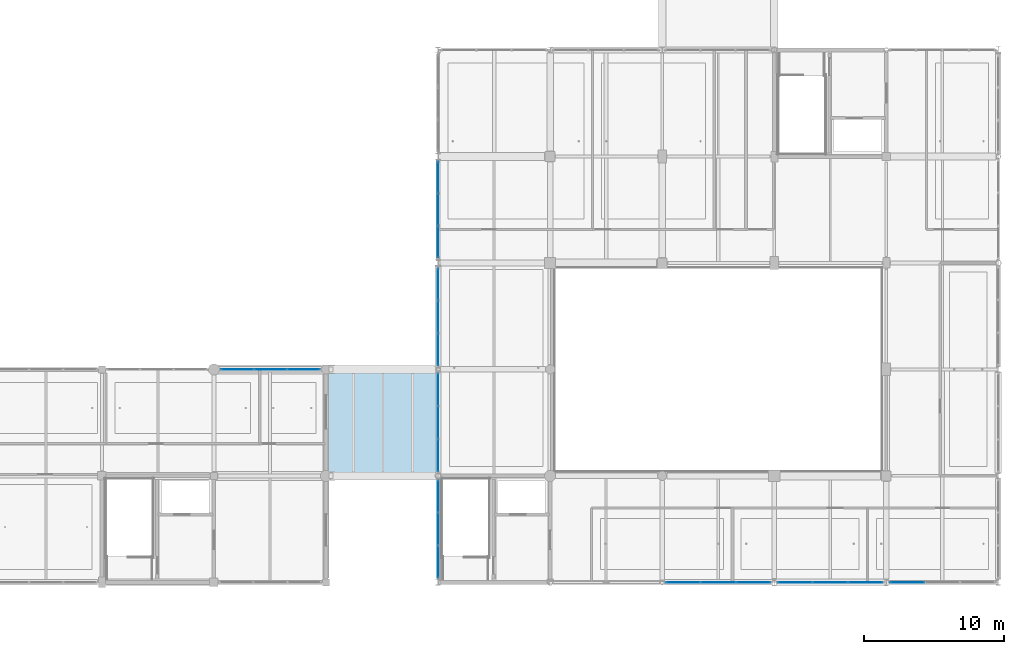
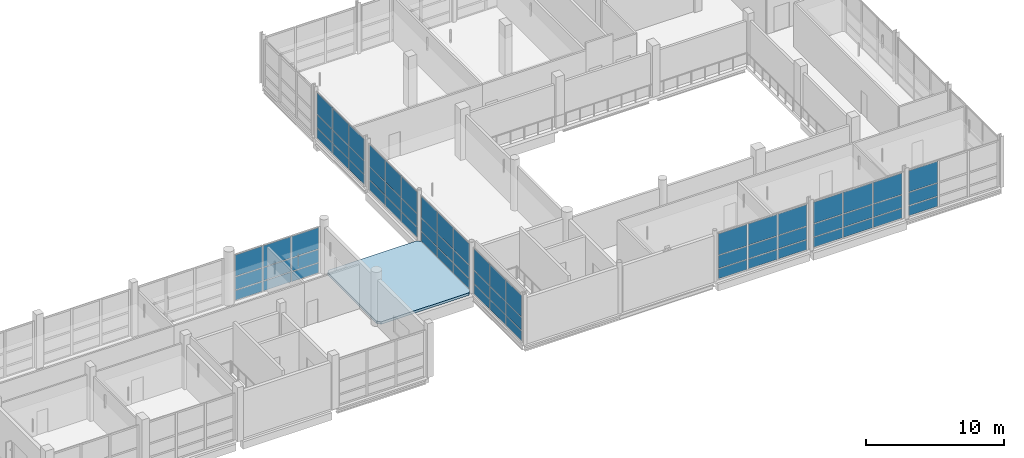
# One storey, part 60 of 107: 66 plates, 1 slab, 8 elements without a shape of their own.
"""IFC4 building model written with IfcOpenShell, lengths in metres."""

from ifc_helpers import new_model, si_unit, direction, frame, origin, origin_2d, place, context, subcontext, project, spatial, polyline, rectangle, outline, extrude, material, layer, layer_set, type_object, element, aggregate, save


model = new_model("IFC4")

# Units and contexts
model_context = context("Model", 3, precision=1e-05, world=origin(), true_north=direction((0.0, 1.0)))
body_context = subcontext(model_context, "Body", "Model", "MODEL_VIEW")
ifc_project = project(units=[si_unit("LENGTHUNIT", "METRE"), si_unit("AREAUNIT", "SQUARE_METRE"), si_unit("VOLUMEUNIT", "CUBIC_METRE"), si_unit("PLANEANGLEUNIT", "RADIAN"), si_unit("MASSUNIT", "GRAM", prefix="KILO")], contexts=[model_context])

# Site, building, storey
site_placement = place(None, origin())
site = spatial("IfcSite", under=ifc_project, at=site_placement, CompositionType="ELEMENT")
building_placement = place(site_placement, origin())
building = spatial("IfcBuilding", under=site, at=building_placement, Name="Khelvaren Railside Concert Hall", CompositionType="ELEMENT")
storey_placement = place(building_placement, frame((0.0, 0.0, 15.0)))
storey = spatial("IfcBuildingStorey", under=building, at=storey_placement, Name="L03", CompositionType="ELEMENT", Elevation=15.0)

# Curtain wall, plates
ifc_material_1 = material(Name="Double-glazed clear foyer glass", Category="glass")
curtain_wall_type_1 = type_object("IfcCurtainWallType", Name="CW68", PredefinedType="USERDEFINED", material=ifc_material_1)
curtain_wall_1_placement = place(storey_placement, origin())
curtain_wall_1 = element("IfcCurtainWall", 1, at=curtain_wall_1_placement, inside=storey, type_object=curtain_wall_type_1, Name="Unitised Curtain Wall CW-V2-L03-W-15", ObjectType="UNITISED CURTAIN WALL", PredefinedType="USERDEFINED")
ifc_layer_1 = layer(ifc_material_1, 0.0439453125)
ifc_layer_set_1 = layer_set([ifc_layer_1], Name="Double-glazed clear foyer glass")
plate_type_1 = type_object("IfcPlateType", Name="CWP33", PredefinedType="CURTAIN_PANEL", material=ifc_layer_set_1)
plate_1_placement = place(storey_placement, frame((144.0, 16.627197265625, 0.06494140625), z_axis=(0.0, 0.0, 1.0), x_axis=(0.0, 1.0, 0.0)))
plate_1 = element("IfcPlate", 2, at=plate_1_placement, type_object=plate_type_1, Name="CW68 panel 1.1", PredefinedType="CURTAIN_PANEL", context=body_context, shape_type="SweptSolid", body=[
    extrude(rectangle(XDim=2.235107421875, YDim=0.0439453125, at=origin_2d()), origin(), (0.0, 0.0, 1.0), 0.8525390625),
])
plate_2_placement = place(storey_placement, frame((144.0, 16.627197265625, 0.982421875), z_axis=(0.0, 0.0, 1.0), x_axis=(0.0, 1.0, 0.0)))
plate_2 = element("IfcPlate", 3, at=plate_2_placement, type_object=plate_type_1, Name="CW68 panel 1.2", PredefinedType="CURTAIN_PANEL", context=body_context, shape_type="SweptSolid", body=[
    extrude(rectangle(XDim=2.235107421875, YDim=0.0439453125, at=origin_2d()), origin(), (0.0, 0.0, 1.0), 1.12744140625),
])
plate_3_placement = place(storey_placement, frame((144.0, 16.627197265625, 2.1748046875), z_axis=(0.0, 0.0, 1.0), x_axis=(0.0, 1.0, 0.0)))
plate_3 = element("IfcPlate", 4, at=plate_3_placement, type_object=plate_type_1, Name="CW68 panel 1.3", PredefinedType="CURTAIN_PANEL", context=body_context, shape_type="SweptSolid", body=[
    extrude(rectangle(XDim=2.235107421875, YDim=0.0439453125, at=origin_2d()), origin(), (0.0, 0.0, 1.0), 1.880126953125),
])
plate_4_placement = place(storey_placement, frame((144.0, 18.9560546875, 0.06494140625), z_axis=(0.0, 0.0, 1.0), x_axis=(0.0, 1.0, 0.0)))
plate_4 = element("IfcPlate", 5, at=plate_4_placement, type_object=plate_type_1, Name="CW68 panel 2.1", PredefinedType="CURTAIN_PANEL", context=body_context, shape_type="SweptSolid", body=[
    extrude(rectangle(XDim=2.272705078125, YDim=0.0439453125, at=origin_2d()), origin(), (0.0, 0.0, 1.0), 0.8525390625),
])
plate_5_placement = place(storey_placement, frame((144.0, 18.9560546875, 0.982421875), z_axis=(0.0, 0.0, 1.0), x_axis=(0.0, 1.0, 0.0)))
plate_5 = element("IfcPlate", 6, at=plate_5_placement, type_object=plate_type_1, Name="CW68 panel 2.2", PredefinedType="CURTAIN_PANEL", context=body_context, shape_type="SweptSolid", body=[
    extrude(rectangle(XDim=2.272705078125, YDim=0.0439453125, at=origin_2d()), origin(), (0.0, 0.0, 1.0), 1.12744140625),
])
plate_6_placement = place(storey_placement, frame((144.0, 18.9560546875, 2.1748046875), z_axis=(0.0, 0.0, 1.0), x_axis=(0.0, 1.0, 0.0)))
plate_6 = element("IfcPlate", 7, at=plate_6_placement, type_object=plate_type_1, Name="CW68 panel 2.3", PredefinedType="CURTAIN_PANEL", context=body_context, shape_type="SweptSolid", body=[
    extrude(rectangle(XDim=2.272705078125, YDim=0.0439453125, at=origin_2d()), origin(), (0.0, 0.0, 1.0), 1.880126953125),
])
plate_7_placement = place(storey_placement, frame((144.0, 21.284912109375, 0.06494140625), z_axis=(0.0, 0.0, 1.0), x_axis=(0.0, 1.0, 0.0)))
plate_7 = element("IfcPlate", 8, at=plate_7_placement, type_object=plate_type_1, Name="CW68 panel 3.1", PredefinedType="CURTAIN_PANEL", context=body_context, shape_type="SweptSolid", body=[
    extrude(rectangle(XDim=2.235107421875, YDim=0.0439453125, at=origin_2d()), origin(), (0.0, 0.0, 1.0), 0.8525390625),
])
plate_8_placement = place(storey_placement, frame((144.0, 21.284912109375, 0.982421875), z_axis=(0.0, 0.0, 1.0), x_axis=(0.0, 1.0, 0.0)))
plate_8 = element("IfcPlate", 9, at=plate_8_placement, type_object=plate_type_1, Name="CW68 panel 3.2", PredefinedType="CURTAIN_PANEL", context=body_context, shape_type="SweptSolid", body=[
    extrude(rectangle(XDim=2.235107421875, YDim=0.0439453125, at=origin_2d()), origin(), (0.0, 0.0, 1.0), 1.12744140625),
])
plate_9_placement = place(storey_placement, frame((144.0, 21.284912109375, 2.1748046875), z_axis=(0.0, 0.0, 1.0), x_axis=(0.0, 1.0, 0.0)))
plate_9 = element("IfcPlate", 10, at=plate_9_placement, type_object=plate_type_1, Name="CW68 panel 3.3", PredefinedType="CURTAIN_PANEL", context=body_context, shape_type="SweptSolid", body=[
    extrude(rectangle(XDim=2.235107421875, YDim=0.0439453125, at=origin_2d()), origin(), (0.0, 0.0, 1.0), 1.880126953125),
])
aggregate(curtain_wall_1, [plate_1, plate_2, plate_3, plate_4, plate_5, plate_6, plate_7, plate_8, plate_9])

curtain_wall_type_2 = type_object("IfcCurtainWallType", Name="CW70", PredefinedType="USERDEFINED", material=ifc_material_1)
curtain_wall_2_placement = place(storey_placement, origin())
curtain_wall_2 = element("IfcCurtainWall", 11, at=curtain_wall_2_placement, inside=storey, type_object=curtain_wall_type_2, Name="Unitised Curtain Wall CW-V2-L03-W-23", ObjectType="UNITISED CURTAIN WALL", PredefinedType="USERDEFINED")
plate_10_placement = place(storey_placement, frame((144.0, 24.3046875, 0.06494140625), z_axis=(0.0, 0.0, 1.0), x_axis=(0.0, 1.0, 0.0)))
plate_10 = element("IfcPlate", 12, at=plate_10_placement, type_object=plate_type_1, Name="CW70 panel 1.1", PredefinedType="CURTAIN_PANEL", context=body_context, shape_type="SweptSolid", body=[
    extrude(rectangle(XDim=2.214111328125, YDim=0.0439453125, at=origin_2d()), origin(), (0.0, 0.0, 1.0), 0.8525390625),
])
plate_11_placement = place(storey_placement, frame((144.0, 24.3046875, 0.982421875), z_axis=(0.0, 0.0, 1.0), x_axis=(0.0, 1.0, 0.0)))
plate_11 = element("IfcPlate", 13, at=plate_11_placement, type_object=plate_type_1, Name="CW70 panel 1.2", PredefinedType="CURTAIN_PANEL", context=body_context, shape_type="SweptSolid", body=[
    extrude(rectangle(XDim=2.214111328125, YDim=0.0439453125, at=origin_2d()), origin(), (0.0, 0.0, 1.0), 1.12744140625),
])
plate_12_placement = place(storey_placement, frame((144.0, 24.3046875, 2.1748046875), z_axis=(0.0, 0.0, 1.0), x_axis=(0.0, 1.0, 0.0)))
plate_12 = element("IfcPlate", 14, at=plate_12_placement, type_object=plate_type_1, Name="CW70 panel 1.3", PredefinedType="CURTAIN_PANEL", context=body_context, shape_type="SweptSolid", body=[
    extrude(rectangle(XDim=2.214111328125, YDim=0.0439453125, at=origin_2d()), origin(), (0.0, 0.0, 1.0), 1.880126953125),
])
plate_13_placement = place(storey_placement, frame((144.0, 26.612548828125, 0.06494140625), z_axis=(0.0, 0.0, 1.0), x_axis=(0.0, 1.0, 0.0)))
plate_13 = element("IfcPlate", 15, at=plate_13_placement, type_object=plate_type_1, Name="CW70 panel 2.1", PredefinedType="CURTAIN_PANEL", context=body_context, shape_type="SweptSolid", body=[
    extrude(rectangle(XDim=2.251708984375, YDim=0.0439453125, at=origin_2d()), origin(), (0.0, 0.0, 1.0), 0.8525390625),
])
plate_14_placement = place(storey_placement, frame((144.0, 26.612548828125, 0.982421875), z_axis=(0.0, 0.0, 1.0), x_axis=(0.0, 1.0, 0.0)))
plate_14 = element("IfcPlate", 16, at=plate_14_placement, type_object=plate_type_1, Name="CW70 panel 2.2", PredefinedType="CURTAIN_PANEL", context=body_context, shape_type="SweptSolid", body=[
    extrude(rectangle(XDim=2.251708984375, YDim=0.0439453125, at=origin_2d()), origin(), (0.0, 0.0, 1.0), 1.12744140625),
])
plate_15_placement = place(storey_placement, frame((144.0, 26.612548828125, 2.1748046875), z_axis=(0.0, 0.0, 1.0), x_axis=(0.0, 1.0, 0.0)))
plate_15 = element("IfcPlate", 17, at=plate_15_placement, type_object=plate_type_1, Name="CW70 panel 2.3", PredefinedType="CURTAIN_PANEL", context=body_context, shape_type="SweptSolid", body=[
    extrude(rectangle(XDim=2.251708984375, YDim=0.0439453125, at=origin_2d()), origin(), (0.0, 0.0, 1.0), 1.880126953125),
])
plate_16_placement = place(storey_placement, frame((144.0, 28.92041015625, 0.06494140625), z_axis=(0.0, 0.0, 1.0), x_axis=(0.0, 1.0, 0.0)))
plate_16 = element("IfcPlate", 18, at=plate_16_placement, type_object=plate_type_1, Name="CW70 panel 3.1", PredefinedType="CURTAIN_PANEL", context=body_context, shape_type="SweptSolid", body=[
    extrude(rectangle(XDim=2.214111328125, YDim=0.0439453125, at=origin_2d()), origin(), (0.0, 0.0, 1.0), 0.8525390625),
])
plate_17_placement = place(storey_placement, frame((144.0, 28.92041015625, 0.982421875), z_axis=(0.0, 0.0, 1.0), x_axis=(0.0, 1.0, 0.0)))
plate_17 = element("IfcPlate", 19, at=plate_17_placement, type_object=plate_type_1, Name="CW70 panel 3.2", PredefinedType="CURTAIN_PANEL", context=body_context, shape_type="SweptSolid", body=[
    extrude(rectangle(XDim=2.214111328125, YDim=0.0439453125, at=origin_2d()), origin(), (0.0, 0.0, 1.0), 1.12744140625),
])
plate_18_placement = place(storey_placement, frame((144.0, 28.92041015625, 2.1748046875), z_axis=(0.0, 0.0, 1.0), x_axis=(0.0, 1.0, 0.0)))
plate_18 = element("IfcPlate", 20, at=plate_18_placement, type_object=plate_type_1, Name="CW70 panel 3.3", PredefinedType="CURTAIN_PANEL", context=body_context, shape_type="SweptSolid", body=[
    extrude(rectangle(XDim=2.214111328125, YDim=0.0439453125, at=origin_2d()), origin(), (0.0, 0.0, 1.0), 1.880126953125),
])
aggregate(curtain_wall_2, [plate_10, plate_11, plate_12, plate_13, plate_14, plate_15, plate_16, plate_17, plate_18])

ifc_material_2 = material(Name="Double-glazed low-E dark acoustic glass", Category="glass")
curtain_wall_type_3 = type_object("IfcCurtainWallType", Name="CW65", PredefinedType="USERDEFINED", material=ifc_material_2)
curtain_wall_3_placement = place(storey_placement, origin())
curtain_wall_3 = element("IfcCurtainWall", 21, at=curtain_wall_3_placement, inside=storey, type_object=curtain_wall_type_3, Name="Unitised Curtain Wall CW-V2-L03-S-160", ObjectType="UNITISED CURTAIN WALL", PredefinedType="USERDEFINED")
ifc_layer_2 = layer(ifc_material_2, 0.031982421875)
ifc_layer_set_2 = layer_set([ifc_layer_2], Name="Double-glazed low-E dark acoustic glass")
plate_type_2 = type_object("IfcPlateType", Name="CWP84", PredefinedType="CURTAIN_PANEL", material=ifc_layer_set_2)
plate_19_placement = place(storey_placement, frame((166.50732421875, 0.0, 0.06494140625), z_axis=(0.0, 0.0, 1.0), x_axis=(-1.0, 0.0, 0.0)))
plate_19 = element("IfcPlate", 22, at=plate_19_placement, type_object=plate_type_2, Name="CW65 panel 1.1", PredefinedType="CURTAIN_PANEL", context=body_context, shape_type="SweptSolid", body=[
    extrude(rectangle(XDim=2.420166015625, YDim=0.031982421875, at=origin_2d()), origin(), (0.0, 0.0, 1.0), 0.8525390625),
])
plate_20_placement = place(storey_placement, frame((166.50732421875, 0.0, 0.982421875), z_axis=(0.0, 0.0, 1.0), x_axis=(-1.0, 0.0, 0.0)))
plate_20 = element("IfcPlate", 23, at=plate_20_placement, type_object=plate_type_2, Name="CW65 panel 1.2", PredefinedType="CURTAIN_PANEL", context=body_context, shape_type="SweptSolid", body=[
    extrude(rectangle(XDim=2.420166015625, YDim=0.031982421875, at=origin_2d()), origin(), (0.0, 0.0, 1.0), 1.12744140625),
])
plate_21_placement = place(storey_placement, frame((166.50732421875, 0.0, 2.1748046875), z_axis=(0.0, 0.0, 1.0), x_axis=(-1.0, 0.0, 0.0)))
plate_21 = element("IfcPlate", 24, at=plate_21_placement, type_object=plate_type_2, Name="CW65 panel 1.3", PredefinedType="CURTAIN_PANEL", context=body_context, shape_type="SweptSolid", body=[
    extrude(rectangle(XDim=2.420166015625, YDim=0.031982421875, at=origin_2d()), origin(), (0.0, 0.0, 1.0), 1.880126953125),
])
plate_22_placement = place(storey_placement, frame((164.006103515625, 0.0, 0.06494140625), z_axis=(0.0, 0.0, 1.0), x_axis=(-1.0, 0.0, 0.0)))
plate_22 = element("IfcPlate", 25, at=plate_22_placement, type_object=plate_type_2, Name="CW65 panel 2.1", PredefinedType="CURTAIN_PANEL", context=body_context, shape_type="SweptSolid", body=[
    extrude(rectangle(XDim=2.45263671875, YDim=0.031982421875, at=origin_2d()), origin(), (0.0, 0.0, 1.0), 0.8525390625),
])
plate_23_placement = place(storey_placement, frame((164.006103515625, 0.0, 0.982421875), z_axis=(0.0, 0.0, 1.0), x_axis=(-1.0, 0.0, 0.0)))
plate_23 = element("IfcPlate", 26, at=plate_23_placement, type_object=plate_type_2, Name="CW65 panel 2.2", PredefinedType="CURTAIN_PANEL", context=body_context, shape_type="SweptSolid", body=[
    extrude(rectangle(XDim=2.45263671875, YDim=0.031982421875, at=origin_2d()), origin(), (0.0, 0.0, 1.0), 1.12744140625),
])
plate_24_placement = place(storey_placement, frame((164.006103515625, 0.0, 2.1748046875), z_axis=(0.0, 0.0, 1.0), x_axis=(-1.0, 0.0, 0.0)))
plate_24 = element("IfcPlate", 27, at=plate_24_placement, type_object=plate_type_2, Name="CW65 panel 2.3", PredefinedType="CURTAIN_PANEL", context=body_context, shape_type="SweptSolid", body=[
    extrude(rectangle(XDim=2.45263671875, YDim=0.031982421875, at=origin_2d()), origin(), (0.0, 0.0, 1.0), 1.880126953125),
])
plate_25_placement = place(storey_placement, frame((161.504638671875, 0.0, 0.06494140625), z_axis=(0.0, 0.0, 1.0), x_axis=(-1.0, 0.0, 0.0)))
plate_25 = element("IfcPlate", 28, at=plate_25_placement, type_object=plate_type_2, Name="CW65 panel 3.1", PredefinedType="CURTAIN_PANEL", context=body_context, shape_type="SweptSolid", body=[
    extrude(rectangle(XDim=2.420166015625, YDim=0.031982421875, at=origin_2d()), origin(), (0.0, 0.0, 1.0), 0.8525390625),
])
plate_26_placement = place(storey_placement, frame((161.504638671875, 0.0, 0.982421875), z_axis=(0.0, 0.0, 1.0), x_axis=(-1.0, 0.0, 0.0)))
plate_26 = element("IfcPlate", 29, at=plate_26_placement, type_object=plate_type_2, Name="CW65 panel 3.2", PredefinedType="CURTAIN_PANEL", context=body_context, shape_type="SweptSolid", body=[
    extrude(rectangle(XDim=2.420166015625, YDim=0.031982421875, at=origin_2d()), origin(), (0.0, 0.0, 1.0), 1.12744140625),
])
plate_27_placement = place(storey_placement, frame((161.504638671875, 0.0, 2.1748046875), z_axis=(0.0, 0.0, 1.0), x_axis=(-1.0, 0.0, 0.0)))
plate_27 = element("IfcPlate", 30, at=plate_27_placement, type_object=plate_type_2, Name="CW65 panel 3.3", PredefinedType="CURTAIN_PANEL", context=body_context, shape_type="SweptSolid", body=[
    extrude(rectangle(XDim=2.420166015625, YDim=0.031982421875, at=origin_2d()), origin(), (0.0, 0.0, 1.0), 1.880126953125),
])
aggregate(curtain_wall_3, [plate_19, plate_20, plate_21, plate_22, plate_23, plate_24, plate_25, plate_26, plate_27])

curtain_wall_type_4 = type_object("IfcCurtainWallType", Name="CW69", PredefinedType="USERDEFINED", material=ifc_material_2)
curtain_wall_4_placement = place(storey_placement, origin())
curtain_wall_4 = element("IfcCurtainWall", 31, at=curtain_wall_4_placement, inside=storey, type_object=curtain_wall_type_4, Name="Unitised Curtain Wall CW-V2-L03-S-168", ObjectType="UNITISED CURTAIN WALL", PredefinedType="USERDEFINED")
plate_28_placement = place(storey_placement, frame((174.50537109375, 0.0, 0.06494140625), z_axis=(0.0, 0.0, 1.0), x_axis=(-1.0, 0.0, 0.0)))
plate_28 = element("IfcPlate", 32, at=plate_28_placement, type_object=plate_type_2, Name="CW69 panel 1.1", PredefinedType="CURTAIN_PANEL", context=body_context, shape_type="SweptSolid", body=[
    extrude(rectangle(XDim=2.424072265625, YDim=0.031982421875, at=origin_2d()), origin(), (0.0, 0.0, 1.0), 0.8525390625),
])
plate_29_placement = place(storey_placement, frame((174.50537109375, 0.0, 0.982421875), z_axis=(0.0, 0.0, 1.0), x_axis=(-1.0, 0.0, 0.0)))
plate_29 = element("IfcPlate", 33, at=plate_29_placement, type_object=plate_type_2, Name="CW69 panel 1.2", PredefinedType="CURTAIN_PANEL", context=body_context, shape_type="SweptSolid", body=[
    extrude(rectangle(XDim=2.424072265625, YDim=0.031982421875, at=origin_2d()), origin(), (0.0, 0.0, 1.0), 1.12744140625),
])
plate_30_placement = place(storey_placement, frame((174.50537109375, 0.0, 2.1748046875), z_axis=(0.0, 0.0, 1.0), x_axis=(-1.0, 0.0, 0.0)))
plate_30 = element("IfcPlate", 34, at=plate_30_placement, type_object=plate_type_2, Name="CW69 panel 1.3", PredefinedType="CURTAIN_PANEL", context=body_context, shape_type="SweptSolid", body=[
    extrude(rectangle(XDim=2.424072265625, YDim=0.031982421875, at=origin_2d()), origin(), (0.0, 0.0, 1.0), 1.880126953125),
])
plate_31_placement = place(storey_placement, frame((172.0, 0.0, 0.06494140625), z_axis=(0.0, 0.0, 1.0), x_axis=(-1.0, 0.0, 0.0)))
plate_31 = element("IfcPlate", 35, at=plate_31_placement, type_object=plate_type_2, Name="CW69 panel 2.1", PredefinedType="CURTAIN_PANEL", context=body_context, shape_type="SweptSolid", body=[
    extrude(rectangle(XDim=2.456787109375, YDim=0.031982421875, at=origin_2d()), origin(), (0.0, 0.0, 1.0), 0.8525390625),
])
plate_32_placement = place(storey_placement, frame((172.0, 0.0, 0.982421875), z_axis=(0.0, 0.0, 1.0), x_axis=(-1.0, 0.0, 0.0)))
plate_32 = element("IfcPlate", 36, at=plate_32_placement, type_object=plate_type_2, Name="CW69 panel 2.2", PredefinedType="CURTAIN_PANEL", context=body_context, shape_type="SweptSolid", body=[
    extrude(rectangle(XDim=2.456787109375, YDim=0.031982421875, at=origin_2d()), origin(), (0.0, 0.0, 1.0), 1.12744140625),
])
plate_33_placement = place(storey_placement, frame((172.0, 0.0, 2.1748046875), z_axis=(0.0, 0.0, 1.0), x_axis=(-1.0, 0.0, 0.0)))
plate_33 = element("IfcPlate", 37, at=plate_33_placement, type_object=plate_type_2, Name="CW69 panel 2.3", PredefinedType="CURTAIN_PANEL", context=body_context, shape_type="SweptSolid", body=[
    extrude(rectangle(XDim=2.456787109375, YDim=0.031982421875, at=origin_2d()), origin(), (0.0, 0.0, 1.0), 1.880126953125),
])
plate_34_placement = place(storey_placement, frame((169.49462890625, 0.0, 0.06494140625), z_axis=(0.0, 0.0, 1.0), x_axis=(-1.0, 0.0, 0.0)))
plate_34 = element("IfcPlate", 38, at=plate_34_placement, type_object=plate_type_2, Name="CW69 panel 3.1", PredefinedType="CURTAIN_PANEL", context=body_context, shape_type="SweptSolid", body=[
    extrude(rectangle(XDim=2.424072265625, YDim=0.031982421875, at=origin_2d()), origin(), (0.0, 0.0, 1.0), 0.8525390625),
])
plate_35_placement = place(storey_placement, frame((169.49462890625, 0.0, 0.982421875), z_axis=(0.0, 0.0, 1.0), x_axis=(-1.0, 0.0, 0.0)))
plate_35 = element("IfcPlate", 39, at=plate_35_placement, type_object=plate_type_2, Name="CW69 panel 3.2", PredefinedType="CURTAIN_PANEL", context=body_context, shape_type="SweptSolid", body=[
    extrude(rectangle(XDim=2.424072265625, YDim=0.031982421875, at=origin_2d()), origin(), (0.0, 0.0, 1.0), 1.12744140625),
])
plate_36_placement = place(storey_placement, frame((169.49462890625, 0.0, 2.1748046875), z_axis=(0.0, 0.0, 1.0), x_axis=(-1.0, 0.0, 0.0)))
plate_36 = element("IfcPlate", 40, at=plate_36_placement, type_object=plate_type_2, Name="CW69 panel 3.3", PredefinedType="CURTAIN_PANEL", context=body_context, shape_type="SweptSolid", body=[
    extrude(rectangle(XDim=2.424072265625, YDim=0.031982421875, at=origin_2d()), origin(), (0.0, 0.0, 1.0), 1.880126953125),
])
aggregate(curtain_wall_4, [plate_28, plate_29, plate_30, plate_31, plate_32, plate_33, plate_34, plate_35, plate_36])

curtain_wall_type_5 = type_object("IfcCurtainWallType", Name="CW32", PredefinedType="USERDEFINED", material=ifc_material_2)
curtain_wall_5_placement = place(storey_placement, origin())
curtain_wall_5 = element("IfcCurtainWall", 41, at=curtain_wall_5_placement, inside=storey, type_object=curtain_wall_type_5, Name="Unitised Curtain Wall CW-V2-L03-S-176", ObjectType="UNITISED CURTAIN WALL", PredefinedType="USERDEFINED")
plate_37_placement = place(storey_placement, frame((177.49462890625, 0.0, 0.06494140625), z_axis=(0.0, 0.0, 1.0), x_axis=(-1.0, 0.0, 0.0)))
plate_37 = element("IfcPlate", 42, at=plate_37_placement, type_object=plate_type_2, Name="CW32 panel 3.1", PredefinedType="CURTAIN_PANEL", context=body_context, shape_type="SweptSolid", body=[
    extrude(rectangle(XDim=2.424072265625, YDim=0.031982421875, at=origin_2d()), origin(), (0.0, 0.0, 1.0), 0.8525390625),
])
plate_38_placement = place(storey_placement, frame((177.49462890625, 0.0, 0.982421875), z_axis=(0.0, 0.0, 1.0), x_axis=(-1.0, 0.0, 0.0)))
plate_38 = element("IfcPlate", 43, at=plate_38_placement, type_object=plate_type_2, Name="CW32 panel 3.2", PredefinedType="CURTAIN_PANEL", context=body_context, shape_type="SweptSolid", body=[
    extrude(rectangle(XDim=2.424072265625, YDim=0.031982421875, at=origin_2d()), origin(), (0.0, 0.0, 1.0), 1.12744140625),
])
plate_39_placement = place(storey_placement, frame((177.49462890625, 0.0, 2.1748046875), z_axis=(0.0, 0.0, 1.0), x_axis=(-1.0, 0.0, 0.0)))
plate_39 = element("IfcPlate", 44, at=plate_39_placement, type_object=plate_type_2, Name="CW32 panel 3.3", PredefinedType="CURTAIN_PANEL", context=body_context, shape_type="SweptSolid", body=[
    extrude(rectangle(XDim=2.424072265625, YDim=0.031982421875, at=origin_2d()), origin(), (0.0, 0.0, 1.0), 1.880126953125),
])
aggregate(curtain_wall_5, [plate_37, plate_38, plate_39])

curtain_wall_type_6 = type_object("IfcCurtainWallType", Name="CW94", PredefinedType="USERDEFINED", material=ifc_material_2)
curtain_wall_6_placement = place(storey_placement, origin())
curtain_wall_6 = element("IfcCurtainWall", 45, at=curtain_wall_6_placement, inside=storey, type_object=curtain_wall_type_6, Name="Unitised Curtain Wall CW-V2-L03-W-0", ObjectType="UNITISED CURTAIN WALL", PredefinedType="USERDEFINED")
plate_40_placement = place(storey_placement, frame((144.0, 1.45654296875, 0.06494140625), z_axis=(0.0, 0.0, 1.0), x_axis=(0.0, 1.0, 0.0)))
plate_40 = element("IfcPlate", 46, at=plate_40_placement, type_object=plate_type_2, Name="CW94 panel 1.1", PredefinedType="CURTAIN_PANEL", context=body_context, shape_type="SweptSolid", body=[
    extrude(rectangle(XDim=2.258056640625, YDim=0.031982421875, at=origin_2d()), origin(), (0.0, 0.0, 1.0), 0.8525390625),
])
plate_41_placement = place(storey_placement, frame((144.0, 1.45654296875, 0.982421875), z_axis=(0.0, 0.0, 1.0), x_axis=(0.0, 1.0, 0.0)))
plate_41 = element("IfcPlate", 47, at=plate_41_placement, type_object=plate_type_2, Name="CW94 panel 1.2", PredefinedType="CURTAIN_PANEL", context=body_context, shape_type="SweptSolid", body=[
    extrude(rectangle(XDim=2.258056640625, YDim=0.031982421875, at=origin_2d()), origin(), (0.0, 0.0, 1.0), 1.12744140625),
])
plate_42_placement = place(storey_placement, frame((144.0, 1.45654296875, 2.1748046875), z_axis=(0.0, 0.0, 1.0), x_axis=(0.0, 1.0, 0.0)))
plate_42 = element("IfcPlate", 48, at=plate_42_placement, type_object=plate_type_2, Name="CW94 panel 1.3", PredefinedType="CURTAIN_PANEL", context=body_context, shape_type="SweptSolid", body=[
    extrude(rectangle(XDim=2.258056640625, YDim=0.031982421875, at=origin_2d()), origin(), (0.0, 0.0, 1.0), 1.880126953125),
])
plate_43_placement = place(storey_placement, frame((144.0, 3.7958984375, 0.06494140625), z_axis=(0.0, 0.0, 1.0), x_axis=(0.0, 1.0, 0.0)))
plate_43 = element("IfcPlate", 49, at=plate_43_placement, type_object=plate_type_2, Name="CW94 panel 2.1", PredefinedType="CURTAIN_PANEL", context=body_context, shape_type="SweptSolid", body=[
    extrude(rectangle(XDim=2.29052734375, YDim=0.031982421875, at=origin_2d()), origin(), (0.0, 0.0, 1.0), 0.8525390625),
])
plate_44_placement = place(storey_placement, frame((144.0, 3.7958984375, 0.982421875), z_axis=(0.0, 0.0, 1.0), x_axis=(0.0, 1.0, 0.0)))
plate_44 = element("IfcPlate", 50, at=plate_44_placement, type_object=plate_type_2, Name="CW94 panel 2.2", PredefinedType="CURTAIN_PANEL", context=body_context, shape_type="SweptSolid", body=[
    extrude(rectangle(XDim=2.29052734375, YDim=0.031982421875, at=origin_2d()), origin(), (0.0, 0.0, 1.0), 1.12744140625),
])
plate_45_placement = place(storey_placement, frame((144.0, 3.7958984375, 2.1748046875), z_axis=(0.0, 0.0, 1.0), x_axis=(0.0, 1.0, 0.0)))
plate_45 = element("IfcPlate", 51, at=plate_45_placement, type_object=plate_type_2, Name="CW94 panel 2.3", PredefinedType="CURTAIN_PANEL", context=body_context, shape_type="SweptSolid", body=[
    extrude(rectangle(XDim=2.29052734375, YDim=0.031982421875, at=origin_2d()), origin(), (0.0, 0.0, 1.0), 1.880126953125),
])
plate_46_placement = place(storey_placement, frame((144.0, 6.13525390625, 0.06494140625), z_axis=(0.0, 0.0, 1.0), x_axis=(0.0, 1.0, 0.0)))
plate_46 = element("IfcPlate", 52, at=plate_46_placement, type_object=plate_type_2, Name="CW94 panel 3.1", PredefinedType="CURTAIN_PANEL", context=body_context, shape_type="SweptSolid", body=[
    extrude(rectangle(XDim=2.258056640625, YDim=0.031982421875, at=origin_2d()), origin(), (0.0, 0.0, 1.0), 0.8525390625),
])
plate_47_placement = place(storey_placement, frame((144.0, 6.13525390625, 0.982421875), z_axis=(0.0, 0.0, 1.0), x_axis=(0.0, 1.0, 0.0)))
plate_47 = element("IfcPlate", 53, at=plate_47_placement, type_object=plate_type_2, Name="CW94 panel 3.2", PredefinedType="CURTAIN_PANEL", context=body_context, shape_type="SweptSolid", body=[
    extrude(rectangle(XDim=2.258056640625, YDim=0.031982421875, at=origin_2d()), origin(), (0.0, 0.0, 1.0), 1.12744140625),
])
plate_48_placement = place(storey_placement, frame((144.0, 6.13525390625, 2.1748046875), z_axis=(0.0, 0.0, 1.0), x_axis=(0.0, 1.0, 0.0)))
plate_48 = element("IfcPlate", 54, at=plate_48_placement, type_object=plate_type_2, Name="CW94 panel 3.3", PredefinedType="CURTAIN_PANEL", context=body_context, shape_type="SweptSolid", body=[
    extrude(rectangle(XDim=2.258056640625, YDim=0.031982421875, at=origin_2d()), origin(), (0.0, 0.0, 1.0), 1.880126953125),
])
aggregate(curtain_wall_6, [plate_40, plate_41, plate_42, plate_43, plate_44, plate_45, plate_46, plate_47, plate_48])

curtain_wall_7_placement = place(storey_placement, origin())
curtain_wall_7 = element("IfcCurtainWall", 55, at=curtain_wall_7_placement, inside=storey, type_object=curtain_wall_type_3, Name="Unitised Curtain Wall CW-V2-L03-W-8", ObjectType="UNITISED CURTAIN WALL", PredefinedType="USERDEFINED")
plate_49_placement = place(storey_placement, frame((144.0, 9.0703125, 0.06494140625), z_axis=(0.0, 0.0, 1.0), x_axis=(0.0, 1.0, 0.0)))
plate_49 = element("IfcPlate", 56, at=plate_49_placement, type_object=plate_type_2, Name="CW65 panel 1.1", PredefinedType="CURTAIN_PANEL", context=body_context, shape_type="SweptSolid", body=[
    extrude(rectangle(XDim=2.26904296875, YDim=0.031982421875, at=origin_2d()), origin(), (0.0, 0.0, 1.0), 0.8525390625),
])
plate_50_placement = place(storey_placement, frame((144.0, 9.0703125, 0.982421875), z_axis=(0.0, 0.0, 1.0), x_axis=(0.0, 1.0, 0.0)))
plate_50 = element("IfcPlate", 57, at=plate_50_placement, type_object=plate_type_2, Name="CW65 panel 1.2", PredefinedType="CURTAIN_PANEL", context=body_context, shape_type="SweptSolid", body=[
    extrude(rectangle(XDim=2.26904296875, YDim=0.031982421875, at=origin_2d()), origin(), (0.0, 0.0, 1.0), 1.12744140625),
])
plate_51_placement = place(storey_placement, frame((144.0, 9.0703125, 2.1748046875), z_axis=(0.0, 0.0, 1.0), x_axis=(0.0, 1.0, 0.0)))
plate_51 = element("IfcPlate", 58, at=plate_51_placement, type_object=plate_type_2, Name="CW65 panel 1.3", PredefinedType="CURTAIN_PANEL", context=body_context, shape_type="SweptSolid", body=[
    extrude(rectangle(XDim=2.26904296875, YDim=0.031982421875, at=origin_2d()), origin(), (0.0, 0.0, 1.0), 1.880126953125),
])
plate_52_placement = place(storey_placement, frame((144.0, 11.420654296875, 0.06494140625), z_axis=(0.0, 0.0, 1.0), x_axis=(0.0, 1.0, 0.0)))
plate_52 = element("IfcPlate", 59, at=plate_52_placement, type_object=plate_type_2, Name="CW65 panel 2.1", PredefinedType="CURTAIN_PANEL", context=body_context, shape_type="SweptSolid", body=[
    extrude(rectangle(XDim=2.301513671875, YDim=0.031982421875, at=origin_2d()), origin(), (0.0, 0.0, 1.0), 0.8525390625),
])
plate_53_placement = place(storey_placement, frame((144.0, 11.420654296875, 0.982421875), z_axis=(0.0, 0.0, 1.0), x_axis=(0.0, 1.0, 0.0)))
plate_53 = element("IfcPlate", 60, at=plate_53_placement, type_object=plate_type_2, Name="CW65 panel 2.2", PredefinedType="CURTAIN_PANEL", context=body_context, shape_type="SweptSolid", body=[
    extrude(rectangle(XDim=2.301513671875, YDim=0.031982421875, at=origin_2d()), origin(), (0.0, 0.0, 1.0), 1.12744140625),
])
plate_54_placement = place(storey_placement, frame((144.0, 11.420654296875, 2.1748046875), z_axis=(0.0, 0.0, 1.0), x_axis=(0.0, 1.0, 0.0)))
plate_54 = element("IfcPlate", 61, at=plate_54_placement, type_object=plate_type_2, Name="CW65 panel 2.3", PredefinedType="CURTAIN_PANEL", context=body_context, shape_type="SweptSolid", body=[
    extrude(rectangle(XDim=2.301513671875, YDim=0.031982421875, at=origin_2d()), origin(), (0.0, 0.0, 1.0), 1.880126953125),
])
plate_55_placement = place(storey_placement, frame((144.0, 13.77099609375, 0.06494140625), z_axis=(0.0, 0.0, 1.0), x_axis=(0.0, 1.0, 0.0)))
plate_55 = element("IfcPlate", 62, at=plate_55_placement, type_object=plate_type_2, Name="CW65 panel 3.1", PredefinedType="CURTAIN_PANEL", context=body_context, shape_type="SweptSolid", body=[
    extrude(rectangle(XDim=2.26904296875, YDim=0.031982421875, at=origin_2d()), origin(), (0.0, 0.0, 1.0), 0.8525390625),
])
plate_56_placement = place(storey_placement, frame((144.0, 13.77099609375, 0.982421875), z_axis=(0.0, 0.0, 1.0), x_axis=(0.0, 1.0, 0.0)))
plate_56 = element("IfcPlate", 63, at=plate_56_placement, type_object=plate_type_2, Name="CW65 panel 3.2", PredefinedType="CURTAIN_PANEL", context=body_context, shape_type="SweptSolid", body=[
    extrude(rectangle(XDim=2.26904296875, YDim=0.031982421875, at=origin_2d()), origin(), (0.0, 0.0, 1.0), 1.12744140625),
])
plate_57_placement = place(storey_placement, frame((144.0, 13.77099609375, 2.1748046875), z_axis=(0.0, 0.0, 1.0), x_axis=(0.0, 1.0, 0.0)))
plate_57 = element("IfcPlate", 64, at=plate_57_placement, type_object=plate_type_2, Name="CW65 panel 3.3", PredefinedType="CURTAIN_PANEL", context=body_context, shape_type="SweptSolid", body=[
    extrude(rectangle(XDim=2.26904296875, YDim=0.031982421875, at=origin_2d()), origin(), (0.0, 0.0, 1.0), 1.880126953125),
])
aggregate(curtain_wall_7, [plate_49, plate_50, plate_51, plate_52, plate_53, plate_54, plate_55, plate_56, plate_57])

curtain_wall_8_placement = place(storey_placement, origin())
curtain_wall_8 = element("IfcCurtainWall", 65, at=curtain_wall_8_placement, inside=storey, type_object=curtain_wall_type_4, Name="Unitised Curtain Wall CW-V3-L03-N-128", ObjectType="UNITISED CURTAIN WALL", PredefinedType="USERDEFINED")
plate_58_placement = place(storey_placement, frame((129.673828125, 15.199951171875, 0.06494140625), z_axis=(0.0, 0.0, 1.0), x_axis=(1.0, 0.0, 0.0)))
plate_58 = element("IfcPlate", 66, at=plate_58_placement, type_object=plate_type_2, Name="CW69 panel 1.1", PredefinedType="CURTAIN_PANEL", context=body_context, shape_type="SweptSolid", body=[
    extrude(rectangle(XDim=2.282470703125, YDim=0.031982421875, at=origin_2d()), origin(), (0.0, 0.0, 1.0), 0.8525390625),
])
plate_59_placement = place(storey_placement, frame((129.673828125, 15.199951171875, 0.982666015625), z_axis=(0.0, 0.0, 1.0), x_axis=(1.0, 0.0, 0.0)))
plate_59 = element("IfcPlate", 67, at=plate_59_placement, type_object=plate_type_2, Name="CW69 panel 1.2", PredefinedType="CURTAIN_PANEL", context=body_context, shape_type="SweptSolid", body=[
    extrude(rectangle(XDim=2.282470703125, YDim=0.031982421875, at=origin_2d()), origin(), (0.0, 0.0, 1.0), 1.1376953125),
])
plate_60_placement = place(storey_placement, frame((129.673828125, 15.199951171875, 2.185302734375), z_axis=(0.0, 0.0, 1.0), x_axis=(1.0, 0.0, 0.0)))
plate_60 = element("IfcPlate", 68, at=plate_60_placement, type_object=plate_type_2, Name="CW69 panel 1.3", PredefinedType="CURTAIN_PANEL", context=body_context, shape_type="SweptSolid", body=[
    extrude(rectangle(XDim=2.282470703125, YDim=0.031982421875, at=origin_2d()), origin(), (0.0, 0.0, 1.0), 1.8896484375),
])
plate_61_placement = place(storey_placement, frame((132.03759765625, 15.199951171875, 0.06494140625), z_axis=(0.0, 0.0, 1.0), x_axis=(1.0, 0.0, 0.0)))
plate_61 = element("IfcPlate", 69, at=plate_61_placement, type_object=plate_type_2, Name="CW69 panel 2.1", PredefinedType="CURTAIN_PANEL", context=body_context, shape_type="SweptSolid", body=[
    extrude(rectangle(XDim=2.31494140625, YDim=0.031982421875, at=origin_2d()), origin(), (0.0, 0.0, 1.0), 0.8525390625),
])
plate_62_placement = place(storey_placement, frame((132.03759765625, 15.199951171875, 0.982666015625), z_axis=(0.0, 0.0, 1.0), x_axis=(1.0, 0.0, 0.0)))
plate_62 = element("IfcPlate", 70, at=plate_62_placement, type_object=plate_type_2, Name="CW69 panel 2.2", PredefinedType="CURTAIN_PANEL", context=body_context, shape_type="SweptSolid", body=[
    extrude(rectangle(XDim=2.31494140625, YDim=0.031982421875, at=origin_2d()), origin(), (0.0, 0.0, 1.0), 1.1376953125),
])
plate_63_placement = place(storey_placement, frame((132.03759765625, 15.199951171875, 2.185302734375), z_axis=(0.0, 0.0, 1.0), x_axis=(1.0, 0.0, 0.0)))
plate_63 = element("IfcPlate", 71, at=plate_63_placement, type_object=plate_type_2, Name="CW69 panel 2.3", PredefinedType="CURTAIN_PANEL", context=body_context, shape_type="SweptSolid", body=[
    extrude(rectangle(XDim=2.31494140625, YDim=0.031982421875, at=origin_2d()), origin(), (0.0, 0.0, 1.0), 1.8896484375),
])
plate_64_placement = place(storey_placement, frame((134.4013671875, 15.199951171875, 0.06494140625), z_axis=(0.0, 0.0, 1.0), x_axis=(1.0, 0.0, 0.0)))
plate_64 = element("IfcPlate", 72, at=plate_64_placement, type_object=plate_type_2, Name="CW69 panel 3.1", PredefinedType="CURTAIN_PANEL", context=body_context, shape_type="SweptSolid", body=[
    extrude(rectangle(XDim=2.282470703125, YDim=0.031982421875, at=origin_2d()), origin(), (0.0, 0.0, 1.0), 0.8525390625),
])
plate_65_placement = place(storey_placement, frame((134.4013671875, 15.199951171875, 0.982666015625), z_axis=(0.0, 0.0, 1.0), x_axis=(1.0, 0.0, 0.0)))
plate_65 = element("IfcPlate", 73, at=plate_65_placement, type_object=plate_type_2, Name="CW69 panel 3.2", PredefinedType="CURTAIN_PANEL", context=body_context, shape_type="SweptSolid", body=[
    extrude(rectangle(XDim=2.282470703125, YDim=0.031982421875, at=origin_2d()), origin(), (0.0, 0.0, 1.0), 1.1376953125),
])
plate_66_placement = place(storey_placement, frame((134.4013671875, 15.199951171875, 2.185302734375), z_axis=(0.0, 0.0, 1.0), x_axis=(1.0, 0.0, 0.0)))
plate_66 = element("IfcPlate", 74, at=plate_66_placement, type_object=plate_type_2, Name="CW69 panel 3.3", PredefinedType="CURTAIN_PANEL", context=body_context, shape_type="SweptSolid", body=[
    extrude(rectangle(XDim=2.282470703125, YDim=0.031982421875, at=origin_2d()), origin(), (0.0, 0.0, 1.0), 1.8896484375),
])
aggregate(curtain_wall_8, [plate_58, plate_59, plate_60, plate_61, plate_62, plate_63, plate_64, plate_65, plate_66])

# Slab
ifc_material_3 = material(Name="Concrete C40/50", Category="concrete")
ifc_layer_3 = layer(ifc_material_3, 0.219970703125)
ifc_layer_set_3 = layer_set([ifc_layer_3], Name="Concrete C40/50")
slab_type = type_object("IfcSlabType", Name="RS43", PredefinedType="ROOF", material=ifc_layer_set_3)
slab_placement = place(storey_placement, frame((0.0, 0.0, -0.219970703125)))
element("IfcSlab", 75, at=slab_placement, inside=storey, type_object=slab_type, Name="East Rehearsal Link Bridge L03 Roof Slab", PredefinedType="ROOF", context=body_context, shape_type="SweptSolid", body=[
    extrude(outline(polyline([(136.39990234375, 7.60009765625), (143.75, 7.60009765625), (144.0, 7.85009765625), (144.0, 14.949951171875), (143.75, 15.199951171875), (136.39990234375, 15.199951171875), (136.14990234375, 14.949951171875), (136.14990234375, 7.85009765625), (136.39990234375, 7.60009765625)])), origin(), (0.0, 0.0, 1.0), 0.219970703125),
])

save(model, "model.ifc")
